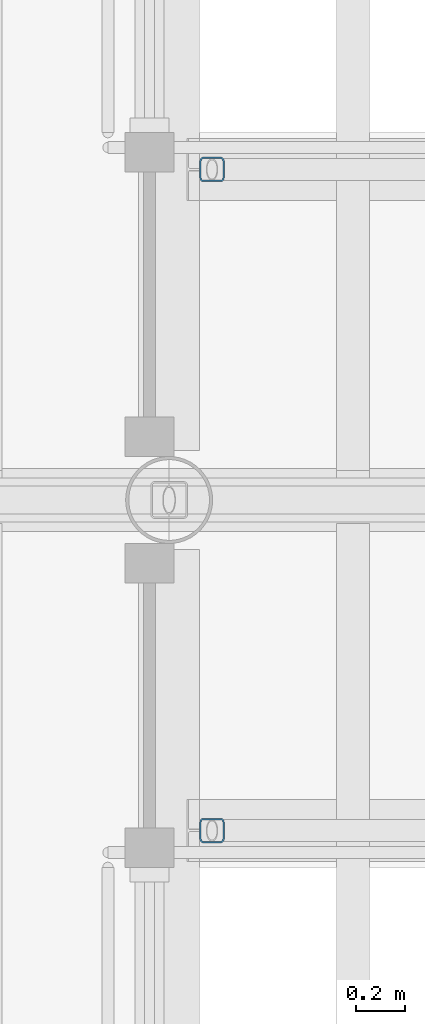
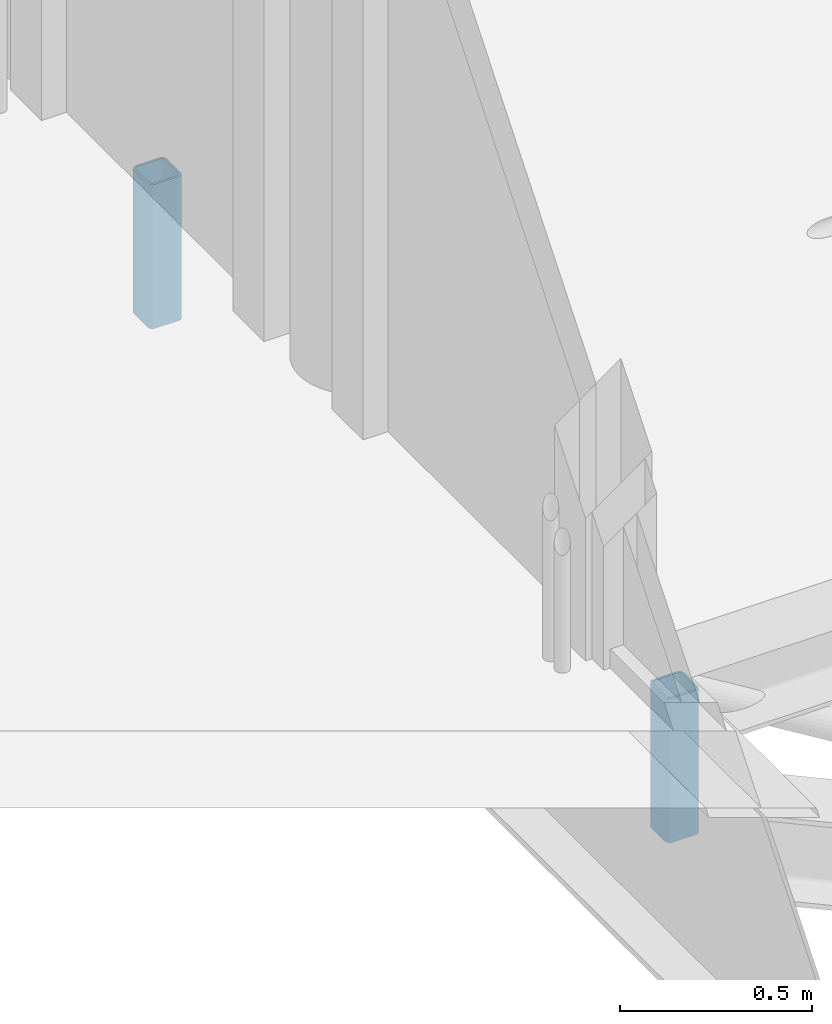
# One storey, part 28 of 44: 2 members.
"""IFC4 building model written with IfcOpenShell, lengths in metres."""

from ifc_helpers import new_model, si_unit, direction, frame, origin, origin_2d, place, context, subcontext, project, spatial, hollow_rectangle, extrude, material, material_profile, profile_set, type_object, element, save


model = new_model("IFC4")

# Units and contexts
model_context = context("Model", 3, precision=1e-05, world=origin(), true_north=direction((0.0, 1.0)))
body_context = subcontext(model_context, "Body", "Model", "MODEL_VIEW")
ifc_project = project(units=[si_unit("LENGTHUNIT", "METRE"), si_unit("AREAUNIT", "SQUARE_METRE"), si_unit("VOLUMEUNIT", "CUBIC_METRE"), si_unit("PLANEANGLEUNIT", "RADIAN"), si_unit("MASSUNIT", "GRAM", prefix="KILO")], contexts=[model_context])

# Site, building, storey
site_placement = place(None, origin())
site = spatial("IfcSite", under=ifc_project, at=site_placement, CompositionType="ELEMENT")
building_placement = place(site_placement, origin())
building = spatial("IfcBuilding", under=site, at=building_placement, Name="Halyard Row Museum", CompositionType="ELEMENT")
storey_placement = place(building_placement, frame((0.0, 0.0, 21.199951171875)))
storey = spatial("IfcBuildingStorey", under=building, at=storey_placement, Name="L04", CompositionType="ELEMENT", Elevation=21.199951171875)

# Members
ifc_material = material(Name="Steel Grade C350L0", Category="steel")
ifc_material_profile = material_profile(ifc_material, hollow_rectangle(XDim=0.10009765625, YDim=0.10009765625, WallThickness=0.006103515625, InnerFilletRadius=0.009033203125, OuterFilletRadius=0.014892578125, at=origin_2d()), Name="100x100x6.0SHS")
ifc_profile_set = profile_set([ifc_material_profile], Name="Steel Grade C350L0")
member_type = type_object("IfcMemberType", Name="Truss post 100x100x6.0SHS", PredefinedType="POST", material=ifc_profile_set)
for number, where, z_axis, x_axis, name in (
    (1, (81.175048828125, 16.64990234375, -0.750732421875), (0.0, 0.0, 1.0), (1.0, 0.0, 0.0), "BT2S post 1"),
    (2, (81.175048828125, 19.35009765625, -0.750732421875), (0.0, 0.0, 1.0), (1.0, 0.0, 0.0), "BT2N post 1"),
):
    element("IfcMember", number, at=place(storey_placement, frame(where, z_axis=z_axis, x_axis=x_axis)), inside=storey, type_object=member_type, Name=name, PredefinedType="POST", context=body_context, shape_type="SweptSolid", body=[
        extrude(hollow_rectangle(XDim=0.10009765625, YDim=0.10009765625, WallThickness=0.006103515625, InnerFilletRadius=0.009033203125, OuterFilletRadius=0.014892578125, at=origin_2d()), origin(), (0.0, 0.0, 1.0), 0.458984375),
    ])

save(model, "model.ifc")
